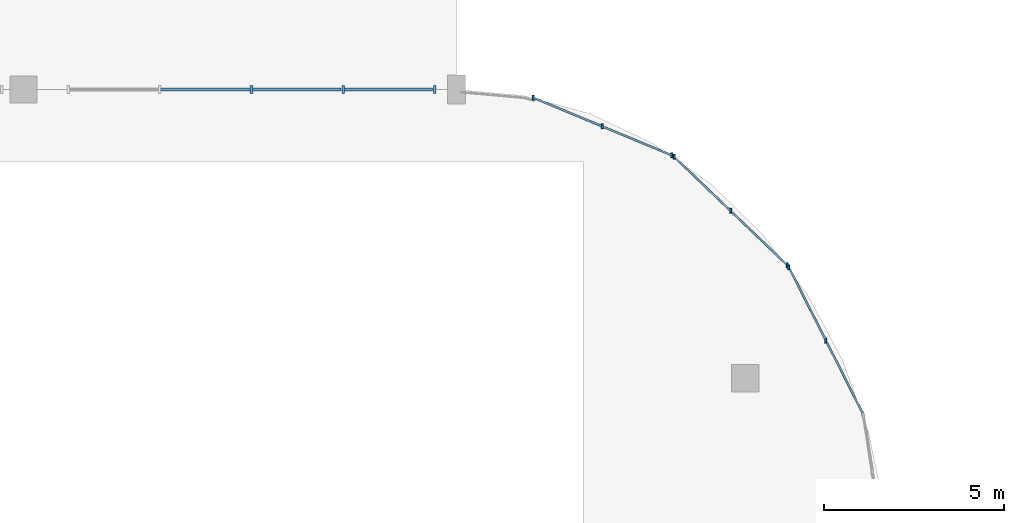
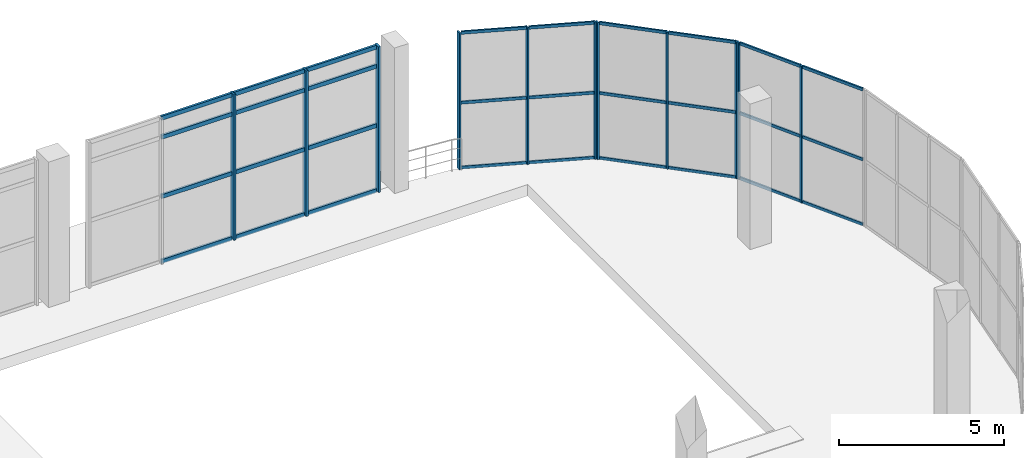
# One storey, part 45 of 85: 41 members, 4 elements without a shape of their own.
"""IFC4 building model written with IfcOpenShell, lengths in metres."""

from ifc_helpers import new_model, si_unit, direction, frame, origin, origin_2d, place, context, subcontext, project, spatial, rectangle, extrude, material, material_profile, profile_set, type_object, element, aggregate, save


model = new_model("IFC4")

# Units and contexts
model_context = context("Model", 3, precision=1e-05, world=origin(), true_north=direction((0.0, 1.0)))
body_context = subcontext(model_context, "Body", "Model", "MODEL_VIEW")
ifc_project = project(units=[si_unit("LENGTHUNIT", "METRE"), si_unit("AREAUNIT", "SQUARE_METRE"), si_unit("VOLUMEUNIT", "CUBIC_METRE"), si_unit("PLANEANGLEUNIT", "RADIAN"), si_unit("MASSUNIT", "GRAM", prefix="KILO"), si_unit("THERMODYNAMICTEMPERATUREUNIT", "KELVIN"), si_unit("POWERUNIT", "WATT")], contexts=[model_context])

# Site, building, storey
site_placement = place(None, origin())
site = spatial("IfcSite", under=ifc_project, at=site_placement, CompositionType="ELEMENT")
building_placement = place(site_placement, origin())
building = spatial("IfcBuilding", under=site, at=building_placement, Name="Solmara Park Aquatics Centre", CompositionType="ELEMENT")
storey_placement = place(building_placement, origin())
storey = spatial("IfcBuildingStorey", under=building, at=storey_placement, Name="L00", CompositionType="ELEMENT", Elevation=0.0)

# Curtain wall, members
ifc_material_1 = material(Name="Anodised Aluminium Curtain Wall Framing", Category="aluminium")
curtain_wall_type_1 = type_object("IfcCurtainWallType", Name="ARC-CW-SYS06", PredefinedType="USERDEFINED", material=ifc_material_1)
curtain_wall_1_placement = place(storey_placement, origin())
curtain_wall_1 = element("IfcCurtainWall", 1, at=curtain_wall_1_placement, inside=storey, type_object=curtain_wall_type_1, Name="Curtain Wall CW-143", ObjectType="CURTAIN WALL", PredefinedType="USERDEFINED")
ifc_material_2 = material(Name="Anodised Aluminium Alloy 6063-T6", Category="aluminium")
ifc_material_profile_1 = material_profile(ifc_material_2, rectangle(XDim=0.054931640625, YDim=0.139892578125, at=origin_2d()), Name="ALU MULLION 55x140")
ifc_profile_set_1 = profile_set([ifc_material_profile_1], Name="Anodised Aluminium Alloy 6063-T6")
member_type_1 = type_object("IfcMemberType", Name="ARC-CWM-55x140", PredefinedType="MULLION", material=ifc_profile_set_1)
member_1_placement = place(storey_placement, frame((166.234375, 129.0458984375, 0.0), z_axis=(0.0, 0.0, 1.0), x_axis=(1.0, 0.0, 0.0)))
member_1 = element("IfcMember", 2, at=member_1_placement, type_object=member_type_1, Name="CW-143 mullion 2", PredefinedType="MULLION", context=body_context, shape_type="SweptSolid", body=[
    extrude(rectangle(XDim=0.054931640625, YDim=0.139892578125, at=origin_2d()), origin(), (0.0, 0.0, 1.0), 5.080078125),
])
member_2_placement = place(storey_placement, frame((165.210693359375, 131.070556640625, 0.0), z_axis=(0.0, 0.0, 1.0), x_axis=(1.0, 0.0, 0.0)))
member_2 = element("IfcMember", 3, at=member_2_placement, type_object=member_type_1, Name="CW-143 mullion 3", PredefinedType="MULLION", context=body_context, shape_type="SweptSolid", body=[
    extrude(rectangle(XDim=0.054931640625, YDim=0.139892578125, at=origin_2d()), origin(), (0.0, 0.0, 1.0), 5.080078125),
])

curtain_wall_2_placement = place(storey_placement, origin())
curtain_wall_2 = element("IfcCurtainWall", 4, at=curtain_wall_2_placement, inside=storey, type_object=curtain_wall_type_1, Name="Curtain Wall CW-144", ObjectType="CURTAIN WALL", PredefinedType="USERDEFINED")
member_3_placement = place(storey_placement, frame((165.16357421875, 131.1337890625, 0.0), z_axis=(0.0, 0.0, 1.0), x_axis=(1.0, 0.0, 0.0)))
member_3 = element("IfcMember", 5, at=member_3_placement, type_object=member_type_1, Name="CW-144 mullion 1", PredefinedType="MULLION", context=body_context, shape_type="SweptSolid", body=[
    extrude(rectangle(XDim=0.054931640625, YDim=0.139892578125, at=origin_2d()), origin(), (0.0, 0.0, 1.0), 5.080078125),
])
member_4_placement = place(storey_placement, frame((163.59619140625, 132.635498046875, 0.0), z_axis=(0.0, 0.0, 1.0), x_axis=(1.0, 0.0, 0.0)))
member_4 = element("IfcMember", 6, at=member_4_placement, type_object=member_type_1, Name="CW-144 mullion 2", PredefinedType="MULLION", context=body_context, shape_type="SweptSolid", body=[
    extrude(rectangle(XDim=0.054931640625, YDim=0.139892578125, at=origin_2d()), origin(), (0.0, 0.0, 1.0), 5.080078125),
])
member_5_placement = place(storey_placement, frame((162.02880859375, 134.13671875, 0.0), z_axis=(0.0, 0.0, 1.0), x_axis=(1.0, 0.0, 0.0)))
member_5 = element("IfcMember", 7, at=member_5_placement, type_object=member_type_1, Name="CW-144 mullion 3", PredefinedType="MULLION", context=body_context, shape_type="SweptSolid", body=[
    extrude(rectangle(XDim=0.054931640625, YDim=0.139892578125, at=origin_2d()), origin(), (0.0, 0.0, 1.0), 5.080078125),
])

curtain_wall_3_placement = place(storey_placement, origin())
curtain_wall_3 = element("IfcCurtainWall", 8, at=curtain_wall_3_placement, inside=storey, type_object=curtain_wall_type_1, Name="Curtain Wall CW-145", ObjectType="CURTAIN WALL", PredefinedType="USERDEFINED")
member_6_placement = place(storey_placement, frame((161.963134765625, 134.1796875, 0.0), z_axis=(0.0, 0.0, 1.0), x_axis=(1.0, 0.0, 0.0)))
member_6 = element("IfcMember", 9, at=member_6_placement, type_object=member_type_1, Name="CW-145 mullion 1", PredefinedType="MULLION", context=body_context, shape_type="SweptSolid", body=[
    extrude(rectangle(XDim=0.054931640625, YDim=0.139892578125, at=origin_2d()), origin(), (0.0, 0.0, 1.0), 5.080078125),
])
member_7_placement = place(storey_placement, frame((160.0419921875, 134.978271484375, 0.0), z_axis=(0.0, 0.0, 1.0), x_axis=(1.0, 0.0, 0.0)))
member_7 = element("IfcMember", 10, at=member_7_placement, type_object=member_type_1, Name="CW-145 mullion 2", PredefinedType="MULLION", context=body_context, shape_type="SweptSolid", body=[
    extrude(rectangle(XDim=0.054931640625, YDim=0.139892578125, at=origin_2d()), origin(), (0.0, 0.0, 1.0), 5.080078125),
])
member_8_placement = place(storey_placement, frame((158.12060546875, 135.776611328125, 0.0), z_axis=(0.0, 0.0, 1.0), x_axis=(1.0, 0.0, 0.0)))
member_8 = element("IfcMember", 11, at=member_8_placement, type_object=member_type_1, Name="CW-145 mullion 3", PredefinedType="MULLION", context=body_context, shape_type="SweptSolid", body=[
    extrude(rectangle(XDim=0.054931640625, YDim=0.139892578125, at=origin_2d()), origin(), (0.0, 0.0, 1.0), 5.080078125),
])

curtain_wall_type_2 = type_object("IfcCurtainWallType", Name="ARC-CW-SYS01", PredefinedType="USERDEFINED", material=ifc_material_1)
curtain_wall_4_placement = place(storey_placement, origin())
curtain_wall_4 = element("IfcCurtainWall", 12, at=curtain_wall_4_placement, inside=storey, type_object=curtain_wall_type_2, Name="Curtain Wall CW-116", ObjectType="CURTAIN WALL", PredefinedType="USERDEFINED")
ifc_material_profile_2 = material_profile(ifc_material_2, rectangle(XDim=0.074951171875, YDim=0.219970703125, at=origin_2d()), Name="ALU MULLION 75x220")
ifc_profile_set_2 = profile_set([ifc_material_profile_2], Name="Anodised Aluminium Alloy 6063-T6")
member_type_2 = type_object("IfcMemberType", Name="ARC-CWM-75x220", PredefinedType="MULLION", material=ifc_profile_set_2)
member_9_placement = place(storey_placement, frame((150.320068359375, 136.0, 0.0), z_axis=(0.0, 0.0, 1.0), x_axis=(1.0, 0.0, 0.0)))
member_9 = element("IfcMember", 13, at=member_9_placement, type_object=member_type_2, Name="CW-116 mullion 3", PredefinedType="MULLION", context=body_context, shape_type="SweptSolid", body=[
    extrude(rectangle(XDim=0.074951171875, YDim=0.219970703125, at=origin_2d()), origin(), (0.0, 0.0, 1.0), 5.39990234375),
])
member_10_placement = place(storey_placement, frame((152.860107421875, 136.0, 0.0), z_axis=(0.0, 0.0, 1.0), x_axis=(1.0, 0.0, 0.0)))
member_10 = element("IfcMember", 14, at=member_10_placement, type_object=member_type_2, Name="CW-116 mullion 4", PredefinedType="MULLION", context=body_context, shape_type="SweptSolid", body=[
    extrude(rectangle(XDim=0.074951171875, YDim=0.219970703125, at=origin_2d()), origin(), (0.0, 0.0, 1.0), 5.39990234375),
])
member_11_placement = place(storey_placement, frame((155.39990234375, 136.0, 0.0), z_axis=(0.0, 0.0, 1.0), x_axis=(1.0, 0.0, 0.0)))
member_11 = element("IfcMember", 15, at=member_11_placement, type_object=member_type_2, Name="CW-116 mullion 5", PredefinedType="MULLION", context=body_context, shape_type="SweptSolid", body=[
    extrude(rectangle(XDim=0.074951171875, YDim=0.219970703125, at=origin_2d()), origin(), (0.0, 0.0, 1.0), 5.39990234375),
])

# Member
ifc_material_profile_3 = material_profile(ifc_material_2, rectangle(XDim=0.054931640625, YDim=0.110107421875, at=origin_2d()), Name="ALU TRANSOM 55x110")
ifc_profile_set_3 = profile_set([ifc_material_profile_3], Name="Anodised Aluminium Alloy 6063-T6")
member_type_3 = type_object("IfcMemberType", Name="ARC-CWT-55x110", PredefinedType="USERDEFINED", material=ifc_profile_set_3)
member_12_placement = place(storey_placement, frame((167.249267578125, 127.039306640625, 0.0400390625), z_axis=(-0.451313766268, 0.892365331227, 0.0), x_axis=(-0.892365331227, -0.451313766268, 0.0)))
member_12 = element("IfcMember", 16, at=member_12_placement, type_object=member_type_3, Name="CW-143 transom 1", ObjectType="TRANSOM", PredefinedType="USERDEFINED", context=body_context, shape_type="SweptSolid", body=[
    extrude(rectangle(XDim=0.054931640625, YDim=0.110107421875, at=origin_2d()), origin(), (0.0, 0.0, 1.0), 2.188720703125),
])

member_13_placement = place(storey_placement, frame((167.249267578125, 127.039306640625, 2.449951171875), z_axis=(-0.451313766268, 0.892365331227, 0.0), x_axis=(-0.892365331227, -0.451313766268, 0.0)))
member_13 = element("IfcMember", 17, at=member_13_placement, type_object=member_type_3, Name="CW-143 transom 2", ObjectType="TRANSOM", PredefinedType="USERDEFINED", context=body_context, shape_type="SweptSolid", body=[
    extrude(rectangle(XDim=0.054931640625, YDim=0.110107421875, at=origin_2d()), origin(), (0.0, 0.0, 1.0), 2.188720703125),
])

member_14_placement = place(storey_placement, frame((167.249267578125, 127.039306640625, 5.0400390625), z_axis=(-0.451313766268, 0.892365331227, 0.0), x_axis=(-0.892365331227, -0.451313766268, 0.0)))
member_14 = element("IfcMember", 18, at=member_14_placement, type_object=member_type_3, Name="CW-143 transom 3", ObjectType="TRANSOM", PredefinedType="USERDEFINED", context=body_context, shape_type="SweptSolid", body=[
    extrude(rectangle(XDim=0.054931640625, YDim=0.110107421875, at=origin_2d()), origin(), (0.0, 0.0, 1.0), 2.188720703125),
])

member_15_placement = place(storey_placement, frame((166.225341796875, 129.063720703125, 0.0400390625), z_axis=(-0.451268846628, 0.892388047916, 0.0), x_axis=(-0.892388047916, -0.451268846628, 0.0)))
member_15 = element("IfcMember", 19, at=member_15_placement, type_object=member_type_3, Name="CW-143 transom 4", ObjectType="TRANSOM", PredefinedType="USERDEFINED", context=body_context, shape_type="SweptSolid", body=[
    extrude(rectangle(XDim=0.054931640625, YDim=0.110107421875, at=origin_2d()), origin(), (0.0, 0.0, 1.0), 2.18896484375),
])

member_16_placement = place(storey_placement, frame((166.225341796875, 129.063720703125, 2.449951171875), z_axis=(-0.451268846628, 0.892388047916, 0.0), x_axis=(-0.892388047916, -0.451268846628, 0.0)))
member_16 = element("IfcMember", 20, at=member_16_placement, type_object=member_type_3, Name="CW-143 transom 5", ObjectType="TRANSOM", PredefinedType="USERDEFINED", context=body_context, shape_type="SweptSolid", body=[
    extrude(rectangle(XDim=0.054931640625, YDim=0.110107421875, at=origin_2d()), origin(), (0.0, 0.0, 1.0), 2.18896484375),
])

member_17_placement = place(storey_placement, frame((166.225341796875, 129.063720703125, 5.0400390625), z_axis=(-0.451268846628, 0.892388047916, 0.0), x_axis=(-0.892388047916, -0.451268846628, 0.0)))
member_17 = element("IfcMember", 21, at=member_17_placement, type_object=member_type_3, Name="CW-143 transom 6", ObjectType="TRANSOM", PredefinedType="USERDEFINED", context=body_context, shape_type="SweptSolid", body=[
    extrude(rectangle(XDim=0.054931640625, YDim=0.110107421875, at=origin_2d()), origin(), (0.0, 0.0, 1.0), 2.18896484375),
])

aggregate(curtain_wall_1, [member_1, member_2, member_12, member_13, member_14, member_15, member_16, member_17])

member_18_placement = place(storey_placement, frame((165.149169921875, 131.147705078125, 0.0400390625), z_axis=(-0.722126755975, 0.691760759443, 0.0), x_axis=(-0.691760759443, -0.722126755975, 0.0)))
member_18 = element("IfcMember", 22, at=member_18_placement, type_object=member_type_3, Name="CW-144 transom 1", ObjectType="TRANSOM", PredefinedType="USERDEFINED", context=body_context, shape_type="SweptSolid", body=[
    extrude(rectangle(XDim=0.054931640625, YDim=0.110107421875, at=origin_2d()), origin(), (0.0, 0.0, 1.0), 2.09033203125),
])

member_19_placement = place(storey_placement, frame((165.149169921875, 131.147705078125, 2.449951171875), z_axis=(-0.722126755975, 0.691760759443, 0.0), x_axis=(-0.691760759443, -0.722126755975, 0.0)))
member_19 = element("IfcMember", 23, at=member_19_placement, type_object=member_type_3, Name="CW-144 transom 2", ObjectType="TRANSOM", PredefinedType="USERDEFINED", context=body_context, shape_type="SweptSolid", body=[
    extrude(rectangle(XDim=0.054931640625, YDim=0.110107421875, at=origin_2d()), origin(), (0.0, 0.0, 1.0), 2.09033203125),
])

member_20_placement = place(storey_placement, frame((165.149169921875, 131.147705078125, 5.0400390625), z_axis=(-0.722126755975, 0.691760759443, 0.0), x_axis=(-0.691760759443, -0.722126755975, 0.0)))
member_20 = element("IfcMember", 24, at=member_20_placement, type_object=member_type_3, Name="CW-144 transom 3", ObjectType="TRANSOM", PredefinedType="USERDEFINED", context=body_context, shape_type="SweptSolid", body=[
    extrude(rectangle(XDim=0.054931640625, YDim=0.110107421875, at=origin_2d()), origin(), (0.0, 0.0, 1.0), 2.09033203125),
])

member_21_placement = place(storey_placement, frame((163.581787109375, 132.649169921875, 0.0400390625), z_axis=(-0.722126755975, 0.691760759443, 0.0), x_axis=(-0.691760759443, -0.722126755975, 0.0)))
member_21 = element("IfcMember", 25, at=member_21_placement, type_object=member_type_3, Name="CW-144 transom 4", ObjectType="TRANSOM", PredefinedType="USERDEFINED", context=body_context, shape_type="SweptSolid", body=[
    extrude(rectangle(XDim=0.054931640625, YDim=0.110107421875, at=origin_2d()), origin(), (0.0, 0.0, 1.0), 2.09033203125),
])

member_22_placement = place(storey_placement, frame((163.581787109375, 132.649169921875, 2.449951171875), z_axis=(-0.722126755975, 0.691760759443, 0.0), x_axis=(-0.691760759443, -0.722126755975, 0.0)))
member_22 = element("IfcMember", 26, at=member_22_placement, type_object=member_type_3, Name="CW-144 transom 5", ObjectType="TRANSOM", PredefinedType="USERDEFINED", context=body_context, shape_type="SweptSolid", body=[
    extrude(rectangle(XDim=0.054931640625, YDim=0.110107421875, at=origin_2d()), origin(), (0.0, 0.0, 1.0), 2.09033203125),
])

member_23_placement = place(storey_placement, frame((163.581787109375, 132.649169921875, 5.0400390625), z_axis=(-0.722126755975, 0.691760759443, 0.0), x_axis=(-0.691760759443, -0.722126755975, 0.0)))
member_23 = element("IfcMember", 27, at=member_23_placement, type_object=member_type_3, Name="CW-144 transom 6", ObjectType="TRANSOM", PredefinedType="USERDEFINED", context=body_context, shape_type="SweptSolid", body=[
    extrude(rectangle(XDim=0.054931640625, YDim=0.110107421875, at=origin_2d()), origin(), (0.0, 0.0, 1.0), 2.09033203125),
])

aggregate(curtain_wall_2, [member_3, member_4, member_5, member_18, member_19, member_20, member_21, member_22, member_23])

member_24_placement = place(storey_placement, frame((161.944580078125, 134.1875, 0.0400390625), z_axis=(-0.923444822174, 0.383731234591, 0.0), x_axis=(-0.383731234591, -0.923444822174, 0.0)))
member_24 = element("IfcMember", 28, at=member_24_placement, type_object=member_type_3, Name="CW-145 transom 1", ObjectType="TRANSOM", PredefinedType="USERDEFINED", context=body_context, shape_type="SweptSolid", body=[
    extrude(rectangle(XDim=0.054931640625, YDim=0.110107421875, at=origin_2d()), origin(), (0.0, 0.0, 1.0), 2.000244140625),
])

member_25_placement = place(storey_placement, frame((161.944580078125, 134.1875, 2.449951171875), z_axis=(-0.923444822174, 0.383731234591, 0.0), x_axis=(-0.383731234591, -0.923444822174, 0.0)))
member_25 = element("IfcMember", 29, at=member_25_placement, type_object=member_type_3, Name="CW-145 transom 2", ObjectType="TRANSOM", PredefinedType="USERDEFINED", context=body_context, shape_type="SweptSolid", body=[
    extrude(rectangle(XDim=0.054931640625, YDim=0.110107421875, at=origin_2d()), origin(), (0.0, 0.0, 1.0), 2.000244140625),
])

member_26_placement = place(storey_placement, frame((161.944580078125, 134.1875, 5.0400390625), z_axis=(-0.923444822174, 0.383731234591, 0.0), x_axis=(-0.383731234591, -0.923444822174, 0.0)))
member_26 = element("IfcMember", 30, at=member_26_placement, type_object=member_type_3, Name="CW-145 transom 3", ObjectType="TRANSOM", PredefinedType="USERDEFINED", context=body_context, shape_type="SweptSolid", body=[
    extrude(rectangle(XDim=0.054931640625, YDim=0.110107421875, at=origin_2d()), origin(), (0.0, 0.0, 1.0), 2.000244140625),
])

member_27_placement = place(storey_placement, frame((160.0234375, 134.98583984375, 0.0400390625), z_axis=(-0.923462791239, 0.383687989382, 0.0), x_axis=(-0.383687989382, -0.923462791239, 0.0)))
member_27 = element("IfcMember", 31, at=member_27_placement, type_object=member_type_3, Name="CW-145 transom 4", ObjectType="TRANSOM", PredefinedType="USERDEFINED", context=body_context, shape_type="SweptSolid", body=[
    extrude(rectangle(XDim=0.054931640625, YDim=0.110107421875, at=origin_2d()), origin(), (0.0, 0.0, 1.0), 2.00048828125),
])

member_28_placement = place(storey_placement, frame((160.0234375, 134.98583984375, 2.449951171875), z_axis=(-0.923462791239, 0.383687989382, 0.0), x_axis=(-0.383687989382, -0.923462791239, 0.0)))
member_28 = element("IfcMember", 32, at=member_28_placement, type_object=member_type_3, Name="CW-145 transom 5", ObjectType="TRANSOM", PredefinedType="USERDEFINED", context=body_context, shape_type="SweptSolid", body=[
    extrude(rectangle(XDim=0.054931640625, YDim=0.110107421875, at=origin_2d()), origin(), (0.0, 0.0, 1.0), 2.00048828125),
])

member_29_placement = place(storey_placement, frame((160.0234375, 134.98583984375, 5.0400390625), z_axis=(-0.923462791239, 0.383687989382, 0.0), x_axis=(-0.383687989382, -0.923462791239, 0.0)))
member_29 = element("IfcMember", 33, at=member_29_placement, type_object=member_type_3, Name="CW-145 transom 6", ObjectType="TRANSOM", PredefinedType="USERDEFINED", context=body_context, shape_type="SweptSolid", body=[
    extrude(rectangle(XDim=0.054931640625, YDim=0.110107421875, at=origin_2d()), origin(), (0.0, 0.0, 1.0), 2.00048828125),
])

aggregate(curtain_wall_3, [member_6, member_7, member_8, member_24, member_25, member_26, member_27, member_28, member_29])

ifc_material_profile_4 = material_profile(ifc_material_2, rectangle(XDim=0.074951171875, YDim=0.14990234375, at=origin_2d()), Name="ALU TRANSOM 75x150")
ifc_profile_set_4 = profile_set([ifc_material_profile_4], Name="Anodised Aluminium Alloy 6063-T6")
member_type_4 = type_object("IfcMemberType", Name="ARC-CWT-75x150", PredefinedType="USERDEFINED", material=ifc_profile_set_4)
member_30_placement = place(storey_placement, frame((147.800048828125, 136.0, 0.0400390625), z_axis=(1.0, 0.0, 0.0), x_axis=(0.0, 1.0, 0.0)))
member_30 = element("IfcMember", 34, at=member_30_placement, type_object=member_type_4, Name="CW-116 transom 5", ObjectType="TRANSOM", PredefinedType="USERDEFINED", context=body_context, shape_type="SweptSolid", body=[
    extrude(rectangle(XDim=0.074951171875, YDim=0.14990234375, at=origin_2d()), origin(), (0.0, 0.0, 1.0), 2.4599609375),
])

member_31_placement = place(storey_placement, frame((147.800048828125, 136.0, 2.449951171875), z_axis=(1.0, 0.0, 0.0), x_axis=(0.0, 1.0, 0.0)))
member_31 = element("IfcMember", 35, at=member_31_placement, type_object=member_type_4, Name="CW-116 transom 6", ObjectType="TRANSOM", PredefinedType="USERDEFINED", context=body_context, shape_type="SweptSolid", body=[
    extrude(rectangle(XDim=0.074951171875, YDim=0.14990234375, at=origin_2d()), origin(), (0.0, 0.0, 1.0), 2.4599609375),
])

member_32_placement = place(storey_placement, frame((147.800048828125, 136.0, 4.64990234375), z_axis=(1.0, 0.0, 0.0), x_axis=(0.0, 1.0, 0.0)))
member_32 = element("IfcMember", 36, at=member_32_placement, type_object=member_type_4, Name="CW-116 transom 7", ObjectType="TRANSOM", PredefinedType="USERDEFINED", context=body_context, shape_type="SweptSolid", body=[
    extrude(rectangle(XDim=0.074951171875, YDim=0.14990234375, at=origin_2d()), origin(), (0.0, 0.0, 1.0), 2.4599609375),
])

member_33_placement = place(storey_placement, frame((147.800048828125, 136.0, 5.360107421875), z_axis=(1.0, 0.0, 0.0), x_axis=(0.0, 1.0, 0.0)))
member_33 = element("IfcMember", 37, at=member_33_placement, type_object=member_type_4, Name="CW-116 transom 8", ObjectType="TRANSOM", PredefinedType="USERDEFINED", context=body_context, shape_type="SweptSolid", body=[
    extrude(rectangle(XDim=0.074951171875, YDim=0.14990234375, at=origin_2d()), origin(), (0.0, 0.0, 1.0), 2.4599609375),
])

member_34_placement = place(storey_placement, frame((150.340087890625, 136.0, 0.0400390625), z_axis=(1.0, 0.0, 0.0), x_axis=(0.0, 1.0, 0.0)))
member_34 = element("IfcMember", 38, at=member_34_placement, type_object=member_type_4, Name="CW-116 transom 9", ObjectType="TRANSOM", PredefinedType="USERDEFINED", context=body_context, shape_type="SweptSolid", body=[
    extrude(rectangle(XDim=0.074951171875, YDim=0.14990234375, at=origin_2d()), origin(), (0.0, 0.0, 1.0), 2.4599609375),
])

member_35_placement = place(storey_placement, frame((150.340087890625, 136.0, 2.449951171875), z_axis=(1.0, 0.0, 0.0), x_axis=(0.0, 1.0, 0.0)))
member_35 = element("IfcMember", 39, at=member_35_placement, type_object=member_type_4, Name="CW-116 transom 10", ObjectType="TRANSOM", PredefinedType="USERDEFINED", context=body_context, shape_type="SweptSolid", body=[
    extrude(rectangle(XDim=0.074951171875, YDim=0.14990234375, at=origin_2d()), origin(), (0.0, 0.0, 1.0), 2.4599609375),
])

member_36_placement = place(storey_placement, frame((150.340087890625, 136.0, 4.64990234375), z_axis=(1.0, 0.0, 0.0), x_axis=(0.0, 1.0, 0.0)))
member_36 = element("IfcMember", 40, at=member_36_placement, type_object=member_type_4, Name="CW-116 transom 11", ObjectType="TRANSOM", PredefinedType="USERDEFINED", context=body_context, shape_type="SweptSolid", body=[
    extrude(rectangle(XDim=0.074951171875, YDim=0.14990234375, at=origin_2d()), origin(), (0.0, 0.0, 1.0), 2.4599609375),
])

member_37_placement = place(storey_placement, frame((150.340087890625, 136.0, 5.360107421875), z_axis=(1.0, 0.0, 0.0), x_axis=(0.0, 1.0, 0.0)))
member_37 = element("IfcMember", 41, at=member_37_placement, type_object=member_type_4, Name="CW-116 transom 12", ObjectType="TRANSOM", PredefinedType="USERDEFINED", context=body_context, shape_type="SweptSolid", body=[
    extrude(rectangle(XDim=0.074951171875, YDim=0.14990234375, at=origin_2d()), origin(), (0.0, 0.0, 1.0), 2.4599609375),
])

member_38_placement = place(storey_placement, frame((152.8798828125, 136.0, 0.0400390625), z_axis=(1.0, 0.0, 0.0), x_axis=(0.0, 1.0, 0.0)))
member_38 = element("IfcMember", 42, at=member_38_placement, type_object=member_type_4, Name="CW-116 transom 13", ObjectType="TRANSOM", PredefinedType="USERDEFINED", context=body_context, shape_type="SweptSolid", body=[
    extrude(rectangle(XDim=0.074951171875, YDim=0.14990234375, at=origin_2d()), origin(), (0.0, 0.0, 1.0), 2.460205078125),
])

member_39_placement = place(storey_placement, frame((152.8798828125, 136.0, 2.449951171875), z_axis=(1.0, 0.0, 0.0), x_axis=(0.0, 1.0, 0.0)))
member_39 = element("IfcMember", 43, at=member_39_placement, type_object=member_type_4, Name="CW-116 transom 14", ObjectType="TRANSOM", PredefinedType="USERDEFINED", context=body_context, shape_type="SweptSolid", body=[
    extrude(rectangle(XDim=0.074951171875, YDim=0.14990234375, at=origin_2d()), origin(), (0.0, 0.0, 1.0), 2.460205078125),
])

member_40_placement = place(storey_placement, frame((152.8798828125, 136.0, 4.64990234375), z_axis=(1.0, 0.0, 0.0), x_axis=(0.0, 1.0, 0.0)))
member_40 = element("IfcMember", 44, at=member_40_placement, type_object=member_type_4, Name="CW-116 transom 15", ObjectType="TRANSOM", PredefinedType="USERDEFINED", context=body_context, shape_type="SweptSolid", body=[
    extrude(rectangle(XDim=0.074951171875, YDim=0.14990234375, at=origin_2d()), origin(), (0.0, 0.0, 1.0), 2.460205078125),
])

member_41_placement = place(storey_placement, frame((152.8798828125, 136.0, 5.360107421875), z_axis=(1.0, 0.0, 0.0), x_axis=(0.0, 1.0, 0.0)))
member_41 = element("IfcMember", 45, at=member_41_placement, type_object=member_type_4, Name="CW-116 transom 16", ObjectType="TRANSOM", PredefinedType="USERDEFINED", context=body_context, shape_type="SweptSolid", body=[
    extrude(rectangle(XDim=0.074951171875, YDim=0.14990234375, at=origin_2d()), origin(), (0.0, 0.0, 1.0), 2.460205078125),
])

aggregate(curtain_wall_4, [member_9, member_10, member_11, member_30, member_31, member_32, member_33, member_34, member_35, member_36, member_37, member_38, member_39, member_40, member_41])

save(model, "model.ifc")
